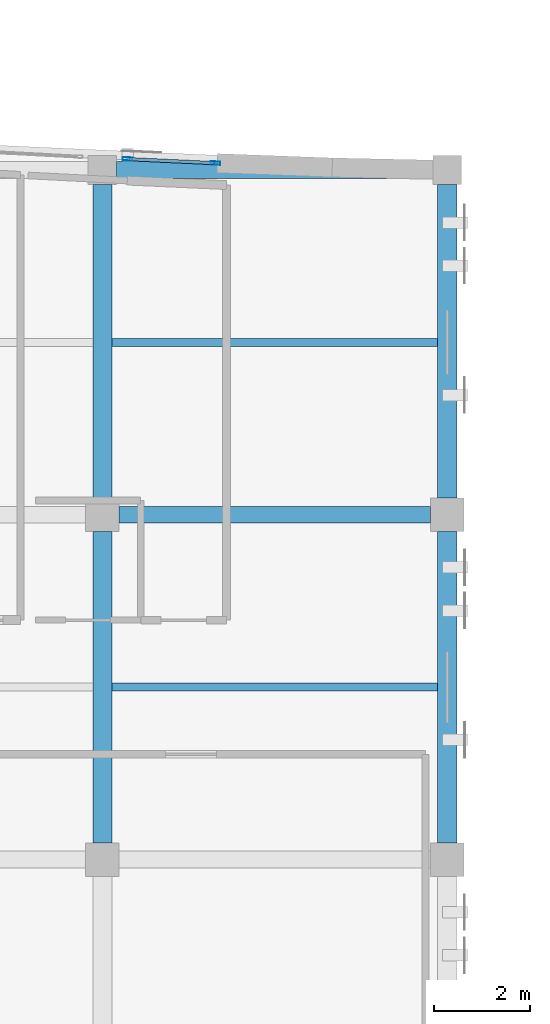
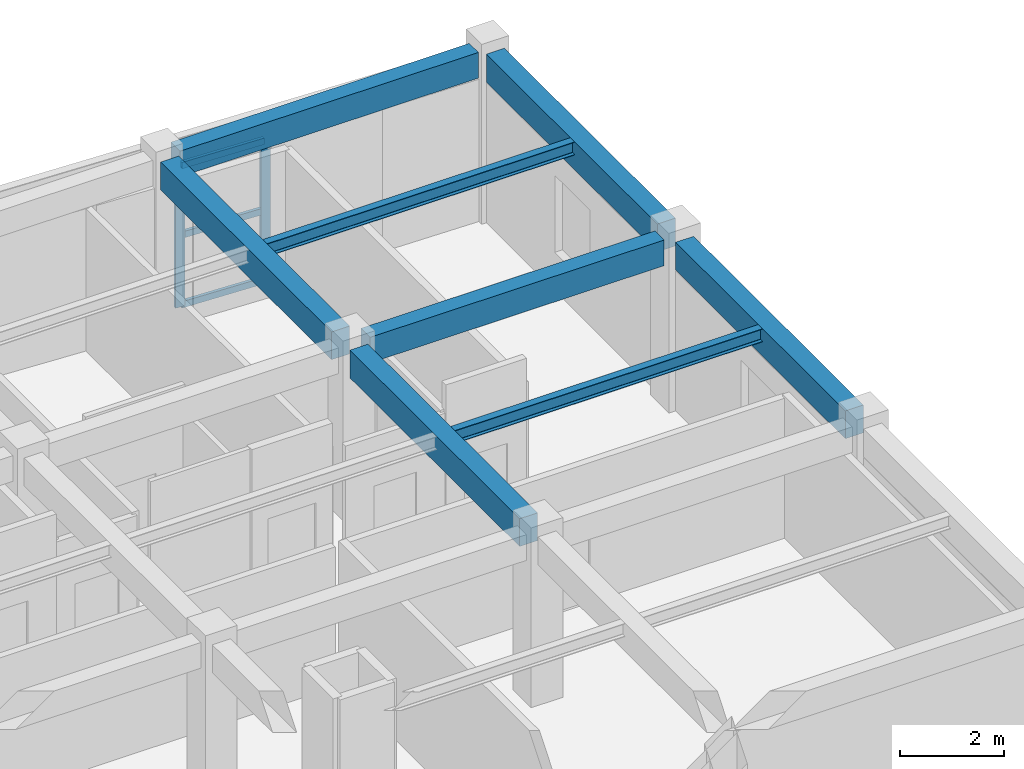
# One storey, part 63 of 113: 8 beams, 5 members, 1 element without a shape of its own.
"""IFC4 building model written with IfcOpenShell, lengths in metres."""

from ifc_helpers import new_model, si_unit, direction, frame, origin, origin_2d, place, context, subcontext, project, spatial, rectangle, hollow_rectangle, i_section, extrude, material, layer, layer_set, material_profile, profile_set, type_object, element, aggregate, save


model = new_model("IFC4")

# Units and contexts
model_context = context("Model", 3, precision=1e-05, world=origin(), true_north=direction((0.0, 1.0)))
body_context = subcontext(model_context, "Body", "Model", "MODEL_VIEW")
ifc_project = project(units=[si_unit("LENGTHUNIT", "METRE"), si_unit("AREAUNIT", "SQUARE_METRE"), si_unit("VOLUMEUNIT", "CUBIC_METRE"), si_unit("PLANEANGLEUNIT", "RADIAN"), si_unit("MASSUNIT", "GRAM", prefix="KILO")], contexts=[model_context])

# Site, building, storey
site_placement = place(None, origin())
site = spatial("IfcSite", under=ifc_project, at=site_placement, CompositionType="ELEMENT")
building_placement = place(site_placement, origin())
building = spatial("IfcBuilding", under=site, at=building_placement, Name="Carrowvane Square Congress Hotel", CompositionType="ELEMENT")
storey_placement = place(building_placement, frame((0.0, 0.0, 15.0)))
storey = spatial("IfcBuildingStorey", under=building, at=storey_placement, Name="L03", CompositionType="ELEMENT", Elevation=15.0)

# Beams
ifc_material_1 = material(Name="Concrete C35/45", Category="concrete")
ifc_material_profile_1 = material_profile(ifc_material_1, rectangle(XDim=0.35009765625, YDim=0.60009765625, at=origin_2d()), Name="RC 350x600")
ifc_profile_set_1 = profile_set([ifc_material_profile_1], Name="Concrete C35/45")
beam_type_1 = type_object("IfcBeamType", Name="BM-RC-350x600", PredefinedType="BEAM", material=ifc_profile_set_1)
beam_1_placement = place(storey_placement, frame((155.949951171875, 106.199951171875, 3.639892578125), z_axis=(1.0, 0.0, 0.0), x_axis=(0.0, 1.0, 0.0)))
element("IfcBeam", 1, at=beam_1_placement, inside=storey, type_object=beam_type_1, Name="L04 girder Q/21-22", PredefinedType="BEAM", context=body_context, shape_type="SweptSolid", body=[
    extrude(rectangle(XDim=0.35009765625, YDim=0.60009765625, at=origin_2d()), origin(), (0.0, 0.0, 1.0), 6.5),
])
beam_2_placement = place(storey_placement, frame((155.89990234375, 113.39990234375, 3.639892578125), z_axis=(1.0, 0.0, 0.0), x_axis=(0.0, 1.0, 0.0)))
element("IfcBeam", 2, at=beam_2_placement, inside=storey, type_object=beam_type_1, Name="L04 girder R/21-22", PredefinedType="BEAM", context=body_context, shape_type="SweptSolid", body=[
    extrude(rectangle(XDim=0.35009765625, YDim=0.60009765625, at=origin_2d()), origin(), (0.0, 0.0, 1.0), 6.60009765625),
])
ifc_material_2 = material(Name="Concrete C35/45", Category="concrete")
ifc_material_profile_2 = material_profile(ifc_material_2, rectangle(XDim=0.39990234375, YDim=0.64990234375, at=origin_2d()), Name="RC 400x650")
ifc_profile_set_2 = profile_set([ifc_material_profile_2], Name="Concrete C35/45")
beam_type_2 = type_object("IfcBeamType", Name="BM-RC-400x650", PredefinedType="BEAM", material=ifc_profile_set_2)
beam_3_placement = place(storey_placement, frame((155.60009765625, 99.35009765625, 3.614990234375), z_axis=(0.0, 1.0, 0.0), x_axis=(-1.0, 0.0, 0.0)))
element("IfcBeam", 3, at=beam_3_placement, inside=storey, type_object=beam_type_2, Name="L04 girder 21/P-Q", PredefinedType="BEAM", context=body_context, shape_type="SweptSolid", body=[
    extrude(rectangle(XDim=0.39990234375, YDim=0.64990234375, at=origin_2d()), origin(), (0.0, 0.0, 1.0), 6.5),
])
beam_4_placement = place(storey_placement, frame((155.60009765625, 106.550048828125, 3.614990234375), z_axis=(0.0, 1.0, 0.0), x_axis=(-1.0, 0.0, 0.0)))
element("IfcBeam", 4, at=beam_4_placement, inside=storey, type_object=beam_type_2, Name="L04 girder 21/Q-R", PredefinedType="BEAM", context=body_context, shape_type="SweptSolid", body=[
    extrude(rectangle(XDim=0.39990234375, YDim=0.64990234375, at=origin_2d()), origin(), (0.0, 0.0, 1.0), 6.550048828125),
])
beam_5_placement = place(storey_placement, frame((162.800048828125, 99.35009765625, 3.614990234375), z_axis=(0.0, 1.0, 0.0), x_axis=(-1.0, 0.0, 0.0)))
element("IfcBeam", 5, at=beam_5_placement, inside=storey, type_object=beam_type_2, Name="L04 girder 22/P-Q", PredefinedType="BEAM", context=body_context, shape_type="SweptSolid", body=[
    extrude(rectangle(XDim=0.39990234375, YDim=0.64990234375, at=origin_2d()), origin(), (0.0, 0.0, 1.0), 6.5),
])
beam_6_placement = place(storey_placement, frame((162.800048828125, 106.550048828125, 3.614990234375), z_axis=(0.0, 1.0, 0.0), x_axis=(-1.0, 0.0, 0.0)))
element("IfcBeam", 6, at=beam_6_placement, inside=storey, type_object=beam_type_2, Name="L04 girder 22/Q-R", PredefinedType="BEAM", context=body_context, shape_type="SweptSolid", body=[
    extrude(rectangle(XDim=0.39990234375, YDim=0.64990234375, at=origin_2d()), origin(), (0.0, 0.0, 1.0), 6.550048828125),
])
ifc_material_3 = material(Name="Steel S355", Category="steel")
ifc_material_profile_3 = material_profile(ifc_material_3, i_section(OverallWidth=0.165771484375, OverallDepth=0.306640625, WebThickness=0.006591796875, FlangeThickness=0.01171875, FilletRadius=0.0087890625, at=origin_2d()), Name="UKB 305x165x46")
ifc_profile_set_3 = profile_set([ifc_material_profile_3], Name="Steel S355")
beam_type_3 = type_object("IfcBeamType", Name="BM-ST-UKB305", PredefinedType="JOIST", material=ifc_profile_set_3)
for number, where, z_axis, x_axis, name in (
    (7, (155.800048828125, 102.60009765625, 3.78662109375), (1.0, 0.0, 0.0), (0.0, 1.0, 0.0), "L04 secondary joist 21-22"),
    (8, (155.800048828125, 109.800048828125, 3.78662109375), (1.0, 0.0, 0.0), (0.0, 1.0, 0.0), "L04 secondary joist 21-22"),
):
    element("IfcBeam", number, at=place(storey_placement, frame(where, z_axis=z_axis, x_axis=x_axis)), inside=storey, type_object=beam_type_3, Name=name, PredefinedType="JOIST", context=body_context, shape_type="SweptSolid", body=[
        extrude(i_section(OverallWidth=0.165771484375, OverallDepth=0.306640625, WebThickness=0.006591796875, FlangeThickness=0.01171875, FilletRadius=0.0087890625, at=origin_2d()), origin(), (0.0, 0.0, 1.0), 6.800048828125),
    ])

# Curtain wall, members
ifc_material_4 = material(Name="Anodised aluminium", Category="aluminium")
ifc_layer = layer(ifc_material_4, 0.174072265625)
ifc_layer_set = layer_set([ifc_layer], Name="Anodised aluminium")
curtain_wall_type = type_object("IfcCurtainWallType", Name="CW-SYS-2", PredefinedType="NOTDEFINED", material=ifc_layer_set)
curtain_wall_placement = place(storey_placement, origin())
curtain_wall = element("IfcCurtainWall", 9, at=curtain_wall_placement, inside=storey, type_object=curtain_wall_type, Name="L03 unitised curtain wall 241", PredefinedType="NOTDEFINED")
ifc_material_5 = material(Name="Anodised aluminium", Category="aluminium")
ifc_material_profile_4 = material_profile(ifc_material_5, hollow_rectangle(XDim=0.070068359375, YDim=0.199951171875, WallThickness=0.0048828125, at=origin_2d()), Name="CW-ML 70x200x5")
ifc_profile_set_4 = profile_set([ifc_material_profile_4], Name="Anodised aluminium")
member_type_1 = type_object("IfcMemberType", Name="CW-MUL-2", PredefinedType="MULLION", material=ifc_profile_set_4)
member_1_placement = place(storey_placement, frame((156.12353515625, 113.62841796875, 0.0), z_axis=(0.0, 0.0, 1.0), x_axis=(0.046522035775, 0.998917263935, 0.0)))
member_1 = element("IfcMember", 10, at=member_1_placement, type_object=member_type_1, Name="CW-2 mullion 1", PredefinedType="MULLION", context=body_context, shape_type="SweptSolid", body=[
    extrude(hollow_rectangle(XDim=0.070068359375, YDim=0.199951171875, WallThickness=0.0048828125, at=origin_2d()), origin(), (0.0, 0.0, 1.0), 3.324951171875),
])
member_2_placement = place(storey_placement, frame((157.965087890625, 113.54248046875, 0.0), z_axis=(0.0, 0.0, 1.0), x_axis=(0.046522035775, 0.998917263935, 0.0)))
member_2 = element("IfcMember", 11, at=member_2_placement, type_object=member_type_1, Name="CW-2 mullion 2", PredefinedType="MULLION", context=body_context, shape_type="SweptSolid", body=[
    extrude(hollow_rectangle(XDim=0.070068359375, YDim=0.199951171875, WallThickness=0.0048828125, at=origin_2d()), origin(), (0.0, 0.0, 1.0), 3.324951171875),
])
ifc_material_6 = material(Name="Anodised aluminium", Category="aluminium")
ifc_material_profile_5 = material_profile(ifc_material_6, hollow_rectangle(XDim=0.070068359375, YDim=0.14990234375, WallThickness=0.0048828125, at=origin_2d()), Name="CW-TR 70x150x5")
ifc_profile_set_5 = profile_set([ifc_material_profile_5], Name="Anodised aluminium")
member_type_2 = type_object("IfcMemberType", Name="CW-TRN-2", PredefinedType="USERDEFINED", material=ifc_profile_set_5)
member_3_placement = place(storey_placement, frame((156.158447265625, 113.626708984375, 0.034912109375), z_axis=(0.998917112664, -0.046525283737, 0.0), x_axis=(0.046525283737, 0.998917112664, 0.0)))
member_3 = element("IfcMember", 12, at=member_3_placement, type_object=member_type_2, Name="CW-2 transom 1.1", ObjectType="TRANSOM", PredefinedType="USERDEFINED", context=body_context, shape_type="SweptSolid", body=[
    extrude(hollow_rectangle(XDim=0.070068359375, YDim=0.14990234375, WallThickness=0.0048828125, at=origin_2d()), origin(), (0.0, 0.0, 1.0), 1.773681640625),
])
member_4_placement = place(storey_placement, frame((156.158447265625, 113.626708984375, 1.66259765625), z_axis=(0.998917112664, -0.046525283737, 0.0), x_axis=(0.046525283737, 0.998917112664, 0.0)))
member_4 = element("IfcMember", 13, at=member_4_placement, type_object=member_type_2, Name="CW-2 transom 1.2", ObjectType="TRANSOM", PredefinedType="USERDEFINED", context=body_context, shape_type="SweptSolid", body=[
    extrude(hollow_rectangle(XDim=0.070068359375, YDim=0.14990234375, WallThickness=0.0048828125, at=origin_2d()), origin(), (0.0, 0.0, 1.0), 1.773681640625),
])
member_5_placement = place(storey_placement, frame((156.158447265625, 113.626708984375, 3.2900390625), z_axis=(0.998917112664, -0.046525283737, 0.0), x_axis=(0.046525283737, 0.998917112664, 0.0)))
member_5 = element("IfcMember", 14, at=member_5_placement, type_object=member_type_2, Name="CW-2 transom 1.3", ObjectType="TRANSOM", PredefinedType="USERDEFINED", context=body_context, shape_type="SweptSolid", body=[
    extrude(hollow_rectangle(XDim=0.070068359375, YDim=0.14990234375, WallThickness=0.0048828125, at=origin_2d()), origin(), (0.0, 0.0, 1.0), 1.773681640625),
])
aggregate(curtain_wall, [member_1, member_2, member_3, member_4, member_5])

save(model, "model.ifc")
